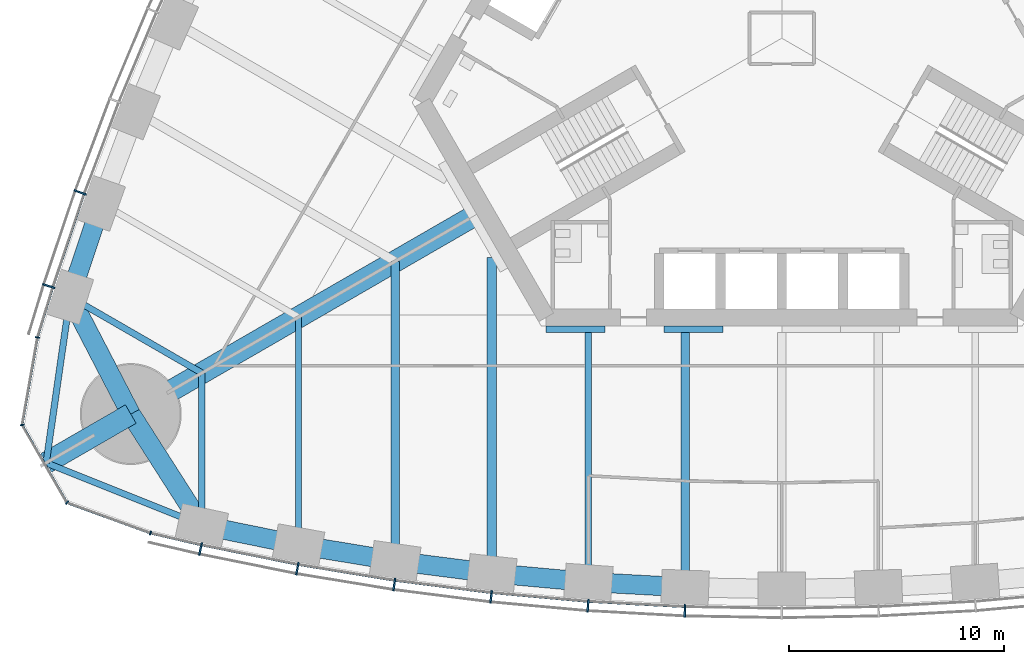
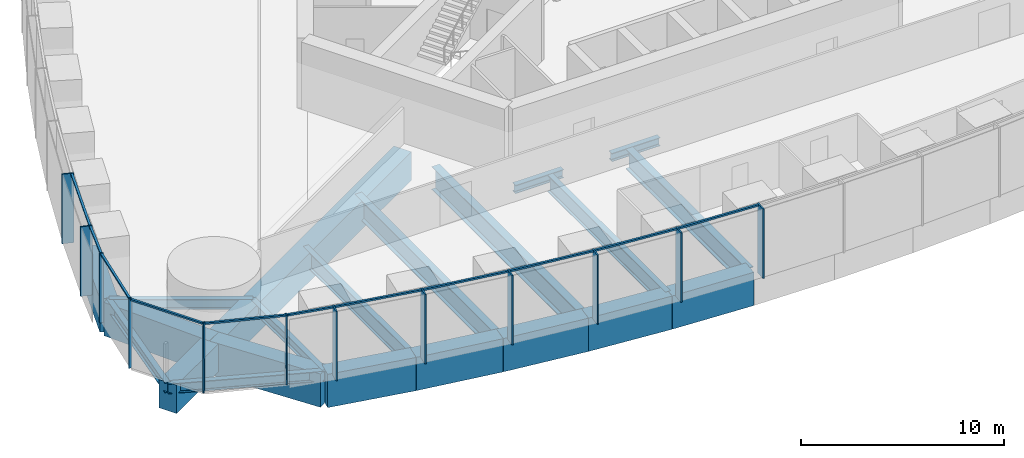
# One storey, part 2 of 18: 23 members, 21 beams, 3 elements without a shape of their own.
"""IFC4 building model written with IfcOpenShell, lengths in metres."""

from ifc_helpers import new_model, si_unit, direction, frame, origin, origin_2d, place, context, subcontext, project, spatial, rectangle, i_section, extrude, material, material_profile, profile_set, type_object, element, aggregate, save


model = new_model("IFC4")

# Units and contexts
model_context = context("Model", 3, precision=1e-05, world=origin(), true_north=direction((0.0, 1.0)))
body_context = subcontext(model_context, "Body", "Model", "MODEL_VIEW")
ifc_project = project(units=[si_unit("LENGTHUNIT", "METRE"), si_unit("AREAUNIT", "SQUARE_METRE"), si_unit("VOLUMEUNIT", "CUBIC_METRE"), si_unit("PLANEANGLEUNIT", "RADIAN"), si_unit("MASSUNIT", "GRAM", prefix="KILO")], contexts=[model_context])

# Site, building, storey
site_placement = place(None, origin())
site = spatial("IfcSite", under=ifc_project, at=site_placement, CompositionType="ELEMENT")
building_placement = place(site_placement, origin())
building = spatial("IfcBuilding", under=site, at=building_placement, Name="Trefoil Bronze Tower", CompositionType="ELEMENT")
storey_placement = place(building_placement, frame((0.0, 0.0, 115.699951171875)))
storey = spatial("IfcBuildingStorey", under=building, at=storey_placement, Name="L26", CompositionType="ELEMENT", Elevation=115.699951171875)

# Curtain wall, members
ifc_material_1 = material(Name="Tinted solar-control glass", Category="glass")
curtain_wall_type_1 = type_object("IfcCurtainWallType", Name="Bronze office curtain wall", PredefinedType="USERDEFINED", material=ifc_material_1)
curtain_wall_1_placement = place(storey_placement, origin())
curtain_wall_1 = element("IfcCurtainWall", 1, at=curtain_wall_1_placement, inside=storey, type_object=curtain_wall_type_1, Name="CW-A L26 F1", ObjectType="CURTAIN WALL", PredefinedType="USERDEFINED")
ifc_material_2 = material(Name="Bronze-finish aluminium", Category="aluminium")
ifc_material_profile_1 = material_profile(ifc_material_2, rectangle(XDim=0.60009765625, YDim=0.080078125, at=origin_2d()), Name="CW-A mullion")
ifc_profile_set_1 = profile_set([ifc_material_profile_1], Name="Bronze-finish aluminium")
member_type_1 = type_object("IfcMemberType", Name="Bronze office curtain wall mullion", PredefinedType="MULLION", material=ifc_profile_set_1)
member_1_placement = place(storey_placement, frame((-27.0634765625, -23.7890625, 0.0), z_axis=(0.0, 0.0, 1.0), x_axis=(0.21197042503, 0.977276081214, 0.0)))
member_1 = element("IfcMember", 2, at=member_1_placement, type_object=member_type_1, Name="CW-A L26 F1 mullion 2", PredefinedType="MULLION", context=body_context, shape_type="SweptSolid", body=[
    extrude(rectangle(XDim=0.60009765625, YDim=0.080078125, at=origin_2d()), origin(), (0.0, 0.0, 1.0), 4.179931640625),
])
member_2_placement = place(storey_placement, frame((-22.553955078125, -24.700927734375, 0.0), z_axis=(0.0, 0.0, 1.0), x_axis=(0.180240853954, 0.98362250613, 0.0)))
member_2 = element("IfcMember", 3, at=member_2_placement, type_object=member_type_1, Name="CW-A L26 F1 mullion 3", PredefinedType="MULLION", context=body_context, shape_type="SweptSolid", body=[
    extrude(rectangle(XDim=0.60009765625, YDim=0.080078125, at=origin_2d()), origin(), (0.0, 0.0, 1.0), 4.179931640625),
])
member_3_placement = place(storey_placement, frame((-18.043212890625, -25.4423828125, 0.0), z_axis=(0.0, 0.0, 1.0), x_axis=(0.144192103798, 0.989549714366, 0.0)))
member_3 = element("IfcMember", 4, at=member_3_placement, type_object=member_type_1, Name="CW-A L26 F1 mullion 4", PredefinedType="MULLION", context=body_context, shape_type="SweptSolid", body=[
    extrude(rectangle(XDim=0.60009765625, YDim=0.080078125, at=origin_2d()), origin(), (0.0, 0.0, 1.0), 4.179931640625),
])
member_4_placement = place(storey_placement, frame((-13.532470703125, -26.01611328125, 0.0), z_axis=(0.0, 0.0, 1.0), x_axis=(0.108143747013, 0.994135267447, 0.0)))
member_4 = element("IfcMember", 5, at=member_4_placement, type_object=member_type_1, Name="CW-A L26 F1 mullion 5", PredefinedType="MULLION", context=body_context, shape_type="SweptSolid", body=[
    extrude(rectangle(XDim=0.60009765625, YDim=0.080078125, at=origin_2d()), origin(), (0.0, 0.0, 1.0), 4.179931640625),
])
member_5_placement = place(storey_placement, frame((-9.021728515625, -26.424072265625, 0.0), z_axis=(0.0, 0.0, 1.0), x_axis=(0.072095676284, 0.997397720802, 0.0)))
member_5 = element("IfcMember", 6, at=member_5_placement, type_object=member_type_1, Name="CW-A L26 F1 mullion 6", PredefinedType="MULLION", context=body_context, shape_type="SweptSolid", body=[
    extrude(rectangle(XDim=0.60009765625, YDim=0.080078125, at=origin_2d()), origin(), (0.0, 0.0, 1.0), 4.179931640625),
])
member_6_placement = place(storey_placement, frame((-4.5107421875, -26.66845703125, 0.0), z_axis=(0.0, 0.0, 1.0), x_axis=(0.036047792107, 0.999350067136, 0.0)))
member_6 = element("IfcMember", 7, at=member_6_placement, type_object=member_type_1, Name="CW-A L26 F1 mullion 7", PredefinedType="MULLION", context=body_context, shape_type="SweptSolid", body=[
    extrude(rectangle(XDim=0.60009765625, YDim=0.080078125, at=origin_2d()), origin(), (0.0, 0.0, 1.0), 4.179931640625),
])

curtain_wall_2_placement = place(storey_placement, origin())
curtain_wall_2 = element("IfcCurtainWall", 8, at=curtain_wall_2_placement, inside=storey, type_object=curtain_wall_type_1, Name="CW-A L26 F3", ObjectType="CURTAIN WALL", PredefinedType="USERDEFINED")
member_7_placement = place(storey_placement, frame((-32.668701171875, -7.181884765625, 0.0), z_axis=(0.0, 0.0, 1.0), x_axis=(0.94196250502, -0.335718094742, 0.0)))
member_7 = element("IfcMember", 9, at=member_7_placement, type_object=member_type_1, Name="CW-A L26 F3 mullion 13", PredefinedType="MULLION", context=body_context, shape_type="SweptSolid", body=[
    extrude(rectangle(XDim=0.60009765625, YDim=0.080078125, at=origin_2d()), origin(), (0.0, 0.0, 1.0), 4.179931640625),
])
member_8_placement = place(storey_placement, frame((-34.1337890625, -11.543212890625, 0.0), z_axis=(0.0, 0.0, 1.0), x_axis=(0.952331125357, -0.30506626768, 0.0)))
member_8 = element("IfcMember", 10, at=member_8_placement, type_object=member_type_1, Name="CW-A L26 F3 mullion 14", PredefinedType="MULLION", context=body_context, shape_type="SweptSolid", body=[
    extrude(rectangle(XDim=0.60009765625, YDim=0.080078125, at=origin_2d()), origin(), (0.0, 0.0, 1.0), 4.179931640625),
])

# Member
ifc_material_3 = material(Name="Bronze-finish aluminium", Category="aluminium")
ifc_material_profile_2 = material_profile(ifc_material_3, rectangle(XDim=0.1201171875, YDim=0.10009765625, at=origin_2d()), Name="CW-A transom")
ifc_profile_set_2 = profile_set([ifc_material_profile_2], Name="Bronze-finish aluminium")
member_type_2 = type_object("IfcMemberType", Name="Bronze office curtain wall transom", PredefinedType="USERDEFINED", material=ifc_profile_set_2)
member_9_placement = place(storey_placement, frame((-29.34130859375, -23.05615234375, 4.130126953125), z_axis=(0.974206243495, -0.225659467196, 0.0), x_axis=(0.225659467196, 0.974206243495, 0.0)))
member_9 = element("IfcMember", 11, at=member_9_placement, type_object=member_type_2, Name="CW-A L26 F1 transom 1", ObjectType="TRANSOM", PredefinedType="USERDEFINED", context=body_context, shape_type="SweptSolid", body=[
    extrude(rectangle(XDim=0.1201171875, YDim=0.10009765625, at=origin_2d()), origin(), (0.0, 0.0, 1.0), 2.340087890625),
])

member_10_placement = place(storey_placement, frame((-26.980712890625, -23.601806640625, 4.130126953125), z_axis=(0.980153749225, -0.198238815273, 0.0), x_axis=(0.198238815273, 0.980153749225, 0.0)))
member_10 = element("IfcMember", 12, at=member_10_placement, type_object=member_type_2, Name="CW-A L26 F1 transom 2", ObjectType="TRANSOM", PredefinedType="USERDEFINED", context=body_context, shape_type="SweptSolid", body=[
    extrude(rectangle(XDim=0.1201171875, YDim=0.10009765625, at=origin_2d()), origin(), (0.0, 0.0, 1.0), 4.51123046875),
])

member_11_placement = place(storey_placement, frame((-22.476806640625, -24.510986328125, 4.130126953125), z_axis=(0.986755265284, -0.162216048636, 0.0), x_axis=(0.162216048636, 0.986755265284, 0.0)))
member_11 = element("IfcMember", 13, at=member_11_placement, type_object=member_type_2, Name="CW-A L26 F1 transom 3", ObjectType="TRANSOM", PredefinedType="USERDEFINED", context=body_context, shape_type="SweptSolid", body=[
    extrude(rectangle(XDim=0.1201171875, YDim=0.10009765625, at=origin_2d()), origin(), (0.0, 0.0, 1.0), 4.48046875),
])

member_12_placement = place(storey_placement, frame((-17.972900390625, -25.249755859375, 4.130126953125), z_axis=(0.992008387848, -0.12617193998, 0.0), x_axis=(0.12617193998, 0.992008387848, 0.0)))
member_12 = element("IfcMember", 14, at=member_12_placement, type_object=member_type_2, Name="CW-A L26 F1 transom 4", ObjectType="TRANSOM", PredefinedType="USERDEFINED", context=body_context, shape_type="SweptSolid", body=[
    extrude(rectangle(XDim=0.1201171875, YDim=0.10009765625, at=origin_2d()), origin(), (0.0, 0.0, 1.0), 4.456298828125),
])

member_13_placement = place(storey_placement, frame((-13.46923828125, -25.821044921875, 4.130126953125), z_axis=(0.995932787062, -0.090099298863, 0.0), x_axis=(0.090099298863, 0.995932787062, 0.0)))
member_13 = element("IfcMember", 15, at=member_13_placement, type_object=member_type_2, Name="CW-A L26 F1 transom 5", ObjectType="TRANSOM", PredefinedType="USERDEFINED", context=body_context, shape_type="SweptSolid", body=[
    extrude(rectangle(XDim=0.1201171875, YDim=0.10009765625, at=origin_2d()), origin(), (0.0, 0.0, 1.0), 4.4384765625),
])

member_14_placement = place(storey_placement, frame((-8.965576171875, -26.22705078125, 4.130126953125), z_axis=(0.998538253569, -0.054049571306, 0.0), x_axis=(0.054049571306, 0.998538253569, 0.0)))
member_14 = element("IfcMember", 16, at=member_14_placement, type_object=member_type_2, Name="CW-A L26 F1 transom 6", ObjectType="TRANSOM", PredefinedType="USERDEFINED", context=body_context, shape_type="SweptSolid", body=[
    extrude(rectangle(XDim=0.1201171875, YDim=0.10009765625, at=origin_2d()), origin(), (0.0, 0.0, 1.0), 4.4267578125),
])

aggregate(curtain_wall_1, [member_1, member_2, member_3, member_4, member_5, member_6, member_9, member_10, member_11, member_12, member_13, member_14])

member_15_placement = place(storey_placement, frame((-32.49365234375, -7.28857421875, 4.130126953125), z_axis=(-0.318386323729, -0.947961048178, 0.0), x_axis=(0.947961048178, -0.318386323729, 0.0)))
member_15 = element("IfcMember", 17, at=member_15_placement, type_object=member_type_2, Name="CW-A L26 F3 transom 13", ObjectType="TRANSOM", PredefinedType="USERDEFINED", context=body_context, shape_type="SweptSolid", body=[
    extrude(rectangle(XDim=0.1201171875, YDim=0.10009765625, at=origin_2d()), origin(), (0.0, 0.0, 1.0), 4.51123046875),
])

member_16_placement = place(storey_placement, frame((-33.955322265625, -11.643798828125, 4.130126953125), z_axis=(-0.291680468798, -0.956515814883, 0.0), x_axis=(0.956515814883, -0.291680468798, 0.0)))
member_16 = element("IfcMember", 18, at=member_16_placement, type_object=member_type_2, Name="CW-A L26 F3 transom 14", ObjectType="TRANSOM", PredefinedType="USERDEFINED", context=body_context, shape_type="SweptSolid", body=[
    extrude(rectangle(XDim=0.1201171875, YDim=0.10009765625, at=origin_2d()), origin(), (0.0, 0.0, 1.0), 2.34033203125),
])

aggregate(curtain_wall_2, [member_7, member_8, member_15, member_16])

# Curtain wall, members
ifc_material_4 = material(Name="Tinted solar-control glass", Category="glass")
curtain_wall_type_2 = type_object("IfcCurtainWallType", Name="Bronze rounded corner curtain wall", PredefinedType="USERDEFINED", material=ifc_material_4)
curtain_wall_3_placement = place(storey_placement, origin())
curtain_wall_3 = element("IfcCurtainWall", 19, at=curtain_wall_3_placement, inside=storey, type_object=curtain_wall_type_2, Name="CW-B L26 K3", ObjectType="CURTAIN WALL", PredefinedType="USERDEFINED")
ifc_material_5 = material(Name="Bronze-finish aluminium", Category="aluminium")
ifc_material_profile_3 = material_profile(ifc_material_5, rectangle(XDim=0.199951171875, YDim=0.06005859375, at=origin_2d()), Name="CW-B mullion")
ifc_profile_set_3 = profile_set([ifc_material_profile_3], Name="Bronze-finish aluminium")
member_type_3 = type_object("IfcMemberType", Name="Bronze rounded corner curtain wall mullion", PredefinedType="MULLION", material=ifc_profile_set_3)
member_17_placement = place(storey_placement, frame((-34.65234375, -13.932373046875, 0.0), z_axis=(0.0, 0.0, 1.0), x_axis=(0.984807753012, -0.173648177667, 0.0)))
member_17 = element("IfcMember", 20, at=member_17_placement, type_object=member_type_3, Name="CW-B L26 K3 mullion 1", PredefinedType="MULLION", context=body_context, shape_type="SweptSolid", body=[
    extrude(rectangle(XDim=0.199951171875, YDim=0.06005859375, at=origin_2d()), origin(), (0.0, 0.0, 1.0), 4.179931640625),
])
member_18_placement = place(storey_placement, frame((-35.364990234375, -18.009033203125, 0.0), z_axis=(0.0, 0.0, 1.0), x_axis=(0.984807753012, 0.173648177667, 0.0)))
member_18 = element("IfcMember", 21, at=member_18_placement, type_object=member_type_3, Name="CW-B L26 K3 mullion 2", PredefinedType="MULLION", context=body_context, shape_type="SweptSolid", body=[
    extrude(rectangle(XDim=0.199951171875, YDim=0.06005859375, at=origin_2d()), origin(), (0.0, 0.0, 1.0), 4.179931640625),
])
member_19_placement = place(storey_placement, frame((-33.27880859375, -21.62255859375, 0.0), z_axis=(0.0, 0.0, 1.0), x_axis=(0.642787609687, 0.766044443119, 0.0)))
member_19 = element("IfcMember", 22, at=member_19_placement, type_object=member_type_3, Name="CW-B L26 K3 mullion 3", PredefinedType="MULLION", context=body_context, shape_type="SweptSolid", body=[
    extrude(rectangle(XDim=0.199951171875, YDim=0.06005859375, at=origin_2d()), origin(), (0.0, 0.0, 1.0), 4.179931640625),
])
member_20_placement = place(storey_placement, frame((-29.391845703125, -23.043701171875, 0.0), z_axis=(0.0, 0.0, 1.0), x_axis=(0.342020143326, 0.939692620786, 0.0)))
member_20 = element("IfcMember", 23, at=member_20_placement, type_object=member_type_3, Name="CW-B L26 K3 mullion 4", PredefinedType="MULLION", context=body_context, shape_type="SweptSolid", body=[
    extrude(rectangle(XDim=0.199951171875, YDim=0.06005859375, at=origin_2d()), origin(), (0.0, 0.0, 1.0), 4.179931640625),
])
ifc_material_6 = material(Name="Bronze-finish aluminium", Category="aluminium")
ifc_material_profile_4 = material_profile(ifc_material_6, rectangle(XDim=0.1201171875, YDim=0.10009765625, at=origin_2d()), Name="CW-B transom")
ifc_profile_set_4 = profile_set([ifc_material_profile_4], Name="Bronze-finish aluminium")
member_type_4 = type_object("IfcMemberType", Name="Bronze rounded corner curtain wall transom", PredefinedType="USERDEFINED", material=ifc_profile_set_4)
member_21_placement = place(storey_placement, frame((-34.657470703125, -13.9619140625, 4.130126953125), z_axis=(-0.173682016639, -0.984801785689, 0.0), x_axis=(0.984801785689, -0.173682016639, 0.0)))
member_21 = element("IfcMember", 24, at=member_21_placement, type_object=member_type_4, Name="CW-B L26 K3 transom 1", ObjectType="TRANSOM", PredefinedType="USERDEFINED", context=body_context, shape_type="SweptSolid", body=[
    extrude(rectangle(XDim=0.1201171875, YDim=0.10009765625, at=origin_2d()), origin(), (0.0, 0.0, 1.0), 4.044189453125),
])
member_22_placement = place(storey_placement, frame((-35.338134765625, -18.067626953125, 4.130126953125), z_axis=(0.500015078168, -0.866016698225, 0.0), x_axis=(0.866016698225, 0.500015078168, 0.0)))
member_22 = element("IfcMember", 25, at=member_22_placement, type_object=member_type_4, Name="CW-B L26 K3 transom 2", ObjectType="TRANSOM", PredefinedType="USERDEFINED", context=body_context, shape_type="SweptSolid", body=[
    extrude(rectangle(XDim=0.1201171875, YDim=0.10009765625, at=origin_2d()), origin(), (0.0, 0.0, 1.0), 4.04443359375),
])
member_23_placement = place(storey_placement, frame((-33.220458984375, -21.650146484375, 4.130126953125), z_axis=(0.939684096629, -0.342043562347, 0.0), x_axis=(0.342043562347, 0.939684096629, 0.0)))
member_23 = element("IfcMember", 26, at=member_23_placement, type_object=member_type_4, Name="CW-B L26 K3 transom 3", ObjectType="TRANSOM", PredefinedType="USERDEFINED", context=body_context, shape_type="SweptSolid", body=[
    extrude(rectangle(XDim=0.1201171875, YDim=0.10009765625, at=origin_2d()), origin(), (0.0, 0.0, 1.0), 4.044189453125),
])
aggregate(curtain_wall_3, [member_17, member_18, member_19, member_20, member_21, member_22, member_23])

# Beams
ifc_material_7 = material(Name="Steel C355", Category="steel")
ifc_material_profile_5 = material_profile(ifc_material_7, i_section(OverallWidth=0.300048828125, OverallDepth=0.5, WebThickness=0.014404296875, FlangeThickness=0.028076171875, FilletRadius=0.027099609375, at=origin_2d()), Name="HEB 500")
ifc_profile_set_5 = profile_set([ifc_material_profile_5], Name="Steel C355")
beam_type_1 = type_object("IfcBeamType", Name="Core seat beam HEB 500", PredefinedType="BEAM", material=ifc_profile_set_5)
for number, where, z_axis, x_axis, name in (
    (27, (-10.9697265625, -13.550048828125, -0.449951171875), (1.0, 0.0, 0.0), (0.0, 1.0, 0.0), "Core seat beam F1/-2 L26"),
    (28, (-5.48486328125, -13.550048828125, -0.449951171875), (1.0, 0.0, 0.0), (0.0, 1.0, 0.0), "Core seat beam F1/-1 L26"),
):
    element("IfcBeam", number, at=place(storey_placement, frame(where, z_axis=z_axis, x_axis=x_axis)), inside=storey, type_object=beam_type_1, Name=name, PredefinedType="BEAM", context=body_context, shape_type="SweptSolid", body=[
        extrude(i_section(OverallWidth=0.300048828125, OverallDepth=0.5, WebThickness=0.014404296875, FlangeThickness=0.028076171875, FilletRadius=0.027099609375, at=origin_2d()), origin(), (0.0, 0.0, 1.0), 2.742431640625),
    ])
ifc_material_8 = material(Name="Concrete B80", Category="concrete")
ifc_material_profile_6 = material_profile(ifc_material_8, rectangle(XDim=1.0, YDim=1.699951171875, at=origin_2d()), Name="RC 1000x1700")
ifc_profile_set_6 = profile_set([ifc_material_profile_6], Name="Concrete B80")
beam_type_2 = type_object("IfcBeamType", Name="Corner cantilever RC 1000x1700", PredefinedType="BEAM", material=ifc_profile_set_6)
beam_1_placement = place(storey_placement, frame((-30.310791015625, -17.5, -1.050048828125), z_axis=(-0.866031878637, -0.499988785058, 0.0), x_axis=(0.499988785058, -0.866031878637, 0.0)))
element("IfcBeam", 29, at=beam_1_placement, inside=storey, type_object=beam_type_2, Name="Corner cantilever K3 L26", PredefinedType="BEAM", context=body_context, shape_type="SweptSolid", body=[
    extrude(rectangle(XDim=1.0, YDim=1.699951171875, at=origin_2d()), origin(), (0.0, 0.0, 1.0), 4.54931640625),
])
ifc_material_9 = material(Name="Steel C355", Category="steel")
ifc_material_profile_7 = material_profile(ifc_material_9, i_section(OverallWidth=0.300048828125, OverallDepth=0.60009765625, WebThickness=0.015380859375, FlangeThickness=0.030029296875, FilletRadius=0.027099609375, at=origin_2d()), Name="HEB 600")
ifc_profile_set_7 = profile_set([ifc_material_profile_7], Name="Steel C355")
beam_type_3 = type_object("IfcBeamType", Name="Corner edge beam HEB 600", PredefinedType="BEAM", material=ifc_profile_set_7)
for number, where, z_axis, x_axis, name in (
    (30, (-27.0, -22.67724609375, -0.5), (-0.928375332495, 0.371643972122, 0.0), (-0.371643972122, -0.928375332495, 0.0), "Corner edge beam F1B L26"),
    (31, (-33.13916015625, -12.044189453125, -0.5), (-0.142327214588, -0.989819662357, 0.0), (0.989819662357, -0.142327214588, 0.0), "Corner edge beam F3A L26"),
):
    element("IfcBeam", number, at=place(storey_placement, frame(where, z_axis=z_axis, x_axis=x_axis)), inside=storey, type_object=beam_type_3, Name=name, PredefinedType="BEAM", context=body_context, shape_type="SweptSolid", body=[
        extrude(i_section(OverallWidth=0.300048828125, OverallDepth=0.60009765625, WebThickness=0.015380859375, FlangeThickness=0.030029296875, FilletRadius=0.027099609375, at=origin_2d()), origin(), (0.0, 0.0, 1.0), 7.81005859375),
    ])
ifc_material_10 = material(Name="Concrete B80", Category="concrete")
ifc_material_profile_8 = material_profile(ifc_material_10, rectangle(XDim=1.0, YDim=1.699951171875, at=origin_2d()), Name="RC 1000x1700")
ifc_profile_set_8 = profile_set([ifc_material_profile_8], Name="Concrete B80")
beam_type_4 = type_object("IfcBeamType", Name="Corner girder RC 1000x1700", PredefinedType="BEAM", material=ifc_profile_set_8)
beam_2_placement = place(storey_placement, frame((-14.202880859375, -8.199951171875, -1.050048828125), z_axis=(-0.866022084834, -0.500005748546, 0.0), x_axis=(0.500005748546, -0.866022084834, 0.0)))
element("IfcBeam", 32, at=beam_2_placement, inside=storey, type_object=beam_type_4, Name="Corner girder K3 L26", PredefinedType="BEAM", context=body_context, shape_type="SweptSolid", body=[
    extrude(rectangle(XDim=1.0, YDim=1.699951171875, at=origin_2d()), origin(), (0.0, 0.0, 1.0), 18.599853515625),
])
ifc_material_11 = material(Name="Concrete B80", Category="concrete")
ifc_material_profile_9 = material_profile(ifc_material_11, rectangle(XDim=0.89990234375, YDim=2.0, at=origin_2d()), Name="RC 900x2000")
ifc_profile_set_9 = profile_set([ifc_material_profile_9], Name="Concrete B80")
beam_type_5 = type_object("IfcBeamType", Name="End spandrel beam RC 900x2000", PredefinedType="SPANDREL", material=ifc_profile_set_9)
for number, where, z_axis, x_axis, name in (
    (33, (-30.310791015625, -17.5, -1.199951171875), (0.53874814953, -0.84246687257, 0.0), (0.84246687257, 0.53874814953, 0.0), "Spandrel F1.1 L26"),
    (34, (-33.13916015625, -12.044189453125, -1.199951171875), (0.460244107083, -0.887792409235, 0.0), (0.887792409235, 0.460244107083, 0.0), "Spandrel F3.14 L26"),
):
    element("IfcBeam", number, at=place(storey_placement, frame(where, z_axis=z_axis, x_axis=x_axis)), inside=storey, type_object=beam_type_5, Name=name, PredefinedType="SPANDREL", context=body_context, shape_type="SweptSolid", body=[
        extrude(rectangle(XDim=0.89990234375, YDim=2.0, at=origin_2d()), origin(), (0.0, 0.0, 1.0), 6.145263671875),
    ])
ifc_material_12 = material(Name="Steel C355", Category="steel")
ifc_material_profile_10 = material_profile(ifc_material_12, i_section(OverallWidth=0.300048828125, OverallDepth=1.0, WebThickness=0.01904296875, FlangeThickness=0.035888671875, FilletRadius=0.030029296875, at=origin_2d()), Name="HEB 1000")
ifc_profile_set_10 = profile_set([ifc_material_profile_10], Name="Steel C355")
beam_type_6 = type_object("IfcBeamType", Name="Floor beam HEB 1000", PredefinedType="BEAM", material=ifc_profile_set_10)
beam_3_placement = place(storey_placement, frame((-22.5, -23.592529296875, -0.699951171875), z_axis=(0.0, 1.0, 0.0), x_axis=(-1.0, 0.0, 0.0)))
element("IfcBeam", 35, at=beam_3_placement, inside=storey, type_object=beam_type_6, Name="Floor beam F1/-5 L26", PredefinedType="BEAM", context=body_context, shape_type="SweptSolid", body=[
    extrude(i_section(OverallWidth=0.300048828125, OverallDepth=1.0, WebThickness=0.01904296875, FlangeThickness=0.035888671875, FilletRadius=0.030029296875, at=origin_2d()), origin(), (0.0, 0.0, 1.0), 10.60205078125),
])
ifc_material_13 = material(Name="Steel C355", Category="steel")
ifc_material_profile_11 = material_profile(ifc_material_13, i_section(OverallWidth=0.300048828125, OverallDepth=0.60009765625, WebThickness=0.015380859375, FlangeThickness=0.030029296875, FilletRadius=0.027099609375, at=origin_2d()), Name="HEB 600")
ifc_profile_set_11 = profile_set([ifc_material_profile_11], Name="Steel C355")
beam_type_7 = type_object("IfcBeamType", Name="Floor beam HEB 600", PredefinedType="BEAM", material=ifc_profile_set_11)
for number, where, z_axis, x_axis, name in (
    (36, (-27.0, -22.67724609375, -0.5), (0.0, 1.0, 0.0), (-1.0, 0.0, 0.0), "Floor beam F1/-6 L26"),
    (37, (-33.13916015625, -12.044189453125, -0.5), (0.866041060244, -0.499972881236, 0.0), (0.499972881236, 0.866041060244, 0.0), "Floor beam F3/+6 L26"),
):
    element("IfcBeam", number, at=place(storey_placement, frame(where, z_axis=z_axis, x_axis=x_axis)), inside=storey, type_object=beam_type_7, Name=name, PredefinedType="BEAM", context=body_context, shape_type="SweptSolid", body=[
        extrude(i_section(OverallWidth=0.300048828125, OverallDepth=0.60009765625, WebThickness=0.015380859375, FlangeThickness=0.030029296875, FilletRadius=0.027099609375, at=origin_2d()), origin(), (0.0, 0.0, 1.0), 7.0888671875),
    ])
ifc_material_14 = material(Name="Steel C355", Category="steel")
ifc_material_profile_12 = material_profile(ifc_material_14, i_section(OverallWidth=0.302001953125, OverallDepth=1.008056640625, WebThickness=0.02099609375, FlangeThickness=0.0400390625, FilletRadius=0.030029296875, at=origin_2d()), Name="HEM 1000")
ifc_profile_set_12 = profile_set([ifc_material_profile_12], Name="Steel C355")
beam_type_8 = type_object("IfcBeamType", Name="Floor beam HEM 1000", PredefinedType="BEAM", material=ifc_profile_set_12)
beam_4_placement = place(storey_placement, frame((-9.0, -25.32275390625, -0.703857421875), z_axis=(0.0, 1.0, 0.0), x_axis=(-1.0, 0.0, 0.0)))
element("IfcBeam", 38, at=beam_4_placement, inside=storey, type_object=beam_type_8, Name="Floor beam F1/-2 L26", PredefinedType="BEAM", context=body_context, shape_type="SweptSolid", body=[
    extrude(i_section(OverallWidth=0.302001953125, OverallDepth=1.008056640625, WebThickness=0.02099609375, FlangeThickness=0.0400390625, FilletRadius=0.030029296875, at=origin_2d()), origin(), (0.0, 0.0, 1.0), 11.622802734375),
])
ifc_material_15 = material(Name="Steel C355", Category="steel")
ifc_material_profile_13 = material_profile(ifc_material_15, i_section(OverallWidth=0.39990234375, OverallDepth=1.199951171875, WebThickness=0.02001953125, FlangeThickness=0.0400390625, FilletRadius=0.010009765625, at=origin_2d()), Name="WPG 1200")
ifc_profile_set_13 = profile_set([ifc_material_profile_13], Name="Steel C355")
beam_type_9 = type_object("IfcBeamType", Name="Floor beam WPG 1200", PredefinedType="BEAM", material=ifc_profile_set_13)
beam_5_placement = place(storey_placement, frame((-18.0, -24.337158203125, -0.800048828125), z_axis=(0.0, 1.0, 0.0), x_axis=(-1.0, 0.0, 0.0)))
element("IfcBeam", 39, at=beam_5_placement, inside=storey, type_object=beam_type_9, Name="Floor beam F1/-4 L26", PredefinedType="BEAM", context=body_context, shape_type="SweptSolid", body=[
    extrude(i_section(OverallWidth=0.39990234375, OverallDepth=1.199951171875, WebThickness=0.02001953125, FlangeThickness=0.0400390625, FilletRadius=0.010009765625, at=origin_2d()), origin(), (0.0, 0.0, 1.0), 13.94482421875),
])
beam_6_placement = place(storey_placement, frame((-4.5, -25.568115234375, -0.800048828125), z_axis=(0.0, 1.0, 0.0), x_axis=(-1.0, 0.0, 0.0)))
element("IfcBeam", 40, at=beam_6_placement, inside=storey, type_object=beam_type_9, Name="Floor beam F1/-1 L26", PredefinedType="BEAM", context=body_context, shape_type="SweptSolid", body=[
    extrude(i_section(OverallWidth=0.39990234375, OverallDepth=1.199951171875, WebThickness=0.02001953125, FlangeThickness=0.0400390625, FilletRadius=0.010009765625, at=origin_2d()), origin(), (0.0, 0.0, 1.0), 11.8681640625),
])
ifc_material_16 = material(Name="Steel C355", Category="steel")
ifc_material_profile_14 = material_profile(ifc_material_16, i_section(OverallWidth=0.449951171875, OverallDepth=1.39990234375, WebThickness=0.02294921875, FlangeThickness=0.044921875, FilletRadius=0.011962890625, at=origin_2d()), Name="WPG 1400")
ifc_profile_set_14 = profile_set([ifc_material_profile_14], Name="Steel C355")
beam_type_10 = type_object("IfcBeamType", Name="Floor beam WPG 1400", PredefinedType="BEAM", material=ifc_profile_set_14)
beam_7_placement = place(storey_placement, frame((-13.5, -24.9130859375, -0.89990234375), z_axis=(0.0, 1.0, 0.0), x_axis=(-1.0, 0.0, 0.0)))
element("IfcBeam", 41, at=beam_7_placement, inside=storey, type_object=beam_type_10, Name="Floor beam F1/-3 L26", PredefinedType="BEAM", context=body_context, shape_type="SweptSolid", body=[
    extrude(i_section(OverallWidth=0.449951171875, OverallDepth=1.39990234375, WebThickness=0.02294921875, FlangeThickness=0.044921875, FilletRadius=0.011962890625, at=origin_2d()), origin(), (0.0, 0.0, 1.0), 14.69580078125),
])
ifc_material_17 = material(Name="Concrete B80", Category="concrete")
ifc_material_profile_15 = material_profile(ifc_material_17, rectangle(XDim=0.89990234375, YDim=2.0, at=origin_2d()), Name="RC 900x2000")
ifc_profile_set_15 = profile_set([ifc_material_profile_15], Name="Concrete B80")
beam_type_11 = type_object("IfcBeamType", Name="Spandrel beam RC 900x2000", PredefinedType="SPANDREL", material=ifc_profile_set_15)
beam_8_placement = place(storey_placement, frame((-27.0, -22.67724609375, -1.199951171875), z_axis=(0.979935430296, -0.199315208777, 0.0), x_axis=(0.199315208777, 0.979935430296, 0.0)))
element("IfcBeam", 42, at=beam_8_placement, inside=storey, type_object=beam_type_11, Name="Spandrel F1.2 L26", PredefinedType="SPANDREL", context=body_context, shape_type="SweptSolid", body=[
    extrude(rectangle(XDim=0.89990234375, YDim=2.0, at=origin_2d()), origin(), (0.0, 0.0, 1.0), 4.592041015625),
])
beam_9_placement = place(storey_placement, frame((-22.5, -23.592529296875, -1.199951171875), z_axis=(0.986584214684, -0.163253138823, 0.0), x_axis=(0.163253138823, 0.986584214684, 0.0)))
element("IfcBeam", 43, at=beam_9_placement, inside=storey, type_object=beam_type_11, Name="Spandrel F1.3 L26", PredefinedType="SPANDREL", context=body_context, shape_type="SweptSolid", body=[
    extrude(rectangle(XDim=0.89990234375, YDim=2.0, at=origin_2d()), origin(), (0.0, 0.0, 1.0), 4.561279296875),
])
beam_10_placement = place(storey_placement, frame((-18.0, -24.337158203125, -1.199951171875), z_axis=(0.991909314257, -0.126948463126, 0.0), x_axis=(0.126948463126, 0.991909314257, 0.0)))
element("IfcBeam", 44, at=beam_10_placement, inside=storey, type_object=beam_type_11, Name="Spandrel F1.4 L26", PredefinedType="SPANDREL", context=body_context, shape_type="SweptSolid", body=[
    extrude(rectangle(XDim=0.89990234375, YDim=2.0, at=origin_2d()), origin(), (0.0, 0.0, 1.0), 4.53662109375),
])
beam_11_placement = place(storey_placement, frame((-13.5, -24.9130859375, -1.199951171875), z_axis=(0.995881683815, -0.090662405894, 0.0), x_axis=(0.090662405894, 0.995881683815, 0.0)))
element("IfcBeam", 45, at=beam_11_placement, inside=storey, type_object=beam_type_11, Name="Spandrel F1.5 L26", PredefinedType="SPANDREL", context=body_context, shape_type="SweptSolid", body=[
    extrude(rectangle(XDim=0.89990234375, YDim=2.0, at=origin_2d()), origin(), (0.0, 0.0, 1.0), 4.5185546875),
])
beam_12_placement = place(storey_placement, frame((-9.0, -25.32275390625, -1.199951171875), z_axis=(0.998516832602, -0.054443870267, 0.0), x_axis=(0.054443870267, 0.998516832602, 0.0)))
element("IfcBeam", 46, at=beam_12_placement, inside=storey, type_object=beam_type_11, Name="Spandrel F1.6 L26", PredefinedType="SPANDREL", context=body_context, shape_type="SweptSolid", body=[
    extrude(rectangle(XDim=0.89990234375, YDim=2.0, at=origin_2d()), origin(), (0.0, 0.0, 1.0), 4.506591796875),
])
beam_13_placement = place(storey_placement, frame((-31.681884765625, -7.689208984375, -1.199951171875), z_axis=(-0.31732802068, -0.948315837309, 0.0), x_axis=(0.948315837309, -0.31732802068, 0.0)))
element("IfcBeam", 47, at=beam_13_placement, inside=storey, type_object=beam_type_11, Name="Spandrel F3.13 L26", PredefinedType="SPANDREL", context=body_context, shape_type="SweptSolid", body=[
    extrude(rectangle(XDim=0.89990234375, YDim=2.0, at=origin_2d()), origin(), (0.0, 0.0, 1.0), 4.59228515625),
])

save(model, "model.ifc")
